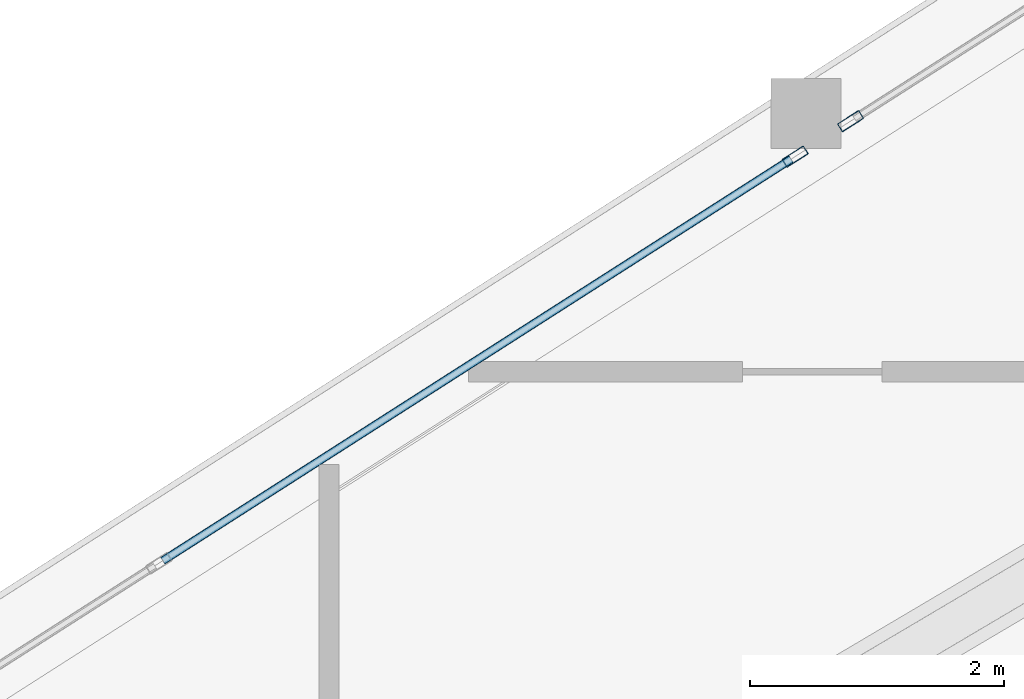
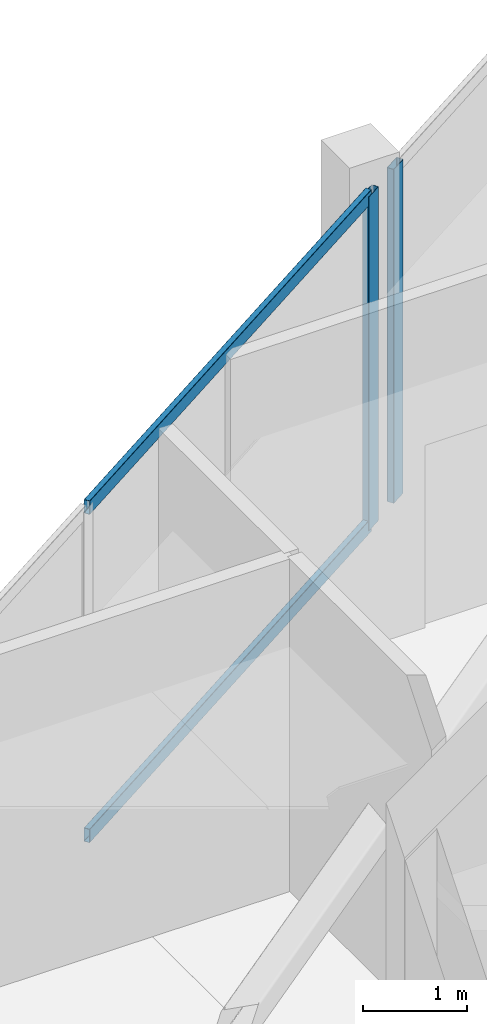
# One storey, part 14 of 30: 4 members, 2 elements without a shape of their own.
"""IFC4 building model written with IfcOpenShell, lengths in metres."""

from ifc_helpers import new_model, si_unit, direction, frame, origin, origin_2d, place, context, subcontext, project, spatial, hollow_rectangle, extrude, material, layer, layer_set, material_profile, profile_set, type_object, element, aggregate, save


model = new_model("IFC4")

# Units and contexts
model_context = context("Model", 3, precision=1e-05, world=origin(), true_north=direction((0.0, 1.0)))
body_context = subcontext(model_context, "Body", "Model", "MODEL_VIEW")
ifc_project = project(units=[si_unit("LENGTHUNIT", "METRE"), si_unit("AREAUNIT", "SQUARE_METRE"), si_unit("VOLUMEUNIT", "CUBIC_METRE"), si_unit("PLANEANGLEUNIT", "RADIAN"), si_unit("MASSUNIT", "GRAM", prefix="KILO")], contexts=[model_context])

# Site, building, storey
site_placement = place(None, origin())
site = spatial("IfcSite", under=ifc_project, at=site_placement, CompositionType="ELEMENT")
building_placement = place(site_placement, origin())
building = spatial("IfcBuilding", under=site, at=building_placement, Name="Qorvath Tower", CompositionType="ELEMENT")
storey_placement = place(building_placement, frame((0.0, 0.0, 301.800048828125)))
storey = spatial("IfcBuildingStorey", under=building, at=storey_placement, Name="L70", CompositionType="ELEMENT", Elevation=301.800048828125)

# Curtain wall, member
ifc_material_1 = material(Name="Anodised aluminium and triple low-E glass", Category="aluminium")
ifc_layer = layer(ifc_material_1, 0.179931640625)
ifc_layer_set = layer_set([ifc_layer], Name="CW-SYS-4")
curtain_wall_type = type_object("IfcCurtainWallType", Name="CW-SYS-4", PredefinedType="NOTDEFINED", material=ifc_layer_set)
curtain_wall_1_placement = place(storey_placement, origin())
curtain_wall_1 = element("IfcCurtainWall", 1, at=curtain_wall_1_placement, inside=storey, type_object=curtain_wall_type, Name="Curtain Wall CW-4 CW-T-L70-16.2", PredefinedType="NOTDEFINED")
ifc_material_2 = material(Name="Anodised aluminium 6063-T6", Category="aluminium")
ifc_material_profile_1 = material_profile(ifc_material_2, hollow_rectangle(XDim=0.074951171875, YDim=0.199951171875, WallThickness=0.00390625, InnerFilletRadius=0.00390625, OuterFilletRadius=0.008056640625, at=origin_2d()), Name="CWM 200x75")
ifc_profile_set_1 = profile_set([ifc_material_profile_1], Name="Anodised aluminium 6063-T6")
member_type_1 = type_object("IfcMemberType", Name="CWM-200", PredefinedType="MULLION", material=ifc_profile_set_1)
member_1_placement = place(storey_placement, frame((-33.752685546875, 12.731201171875, 0.0), z_axis=(0.0, 0.0, 1.0), x_axis=(0.538534157957, -0.842603679504, 0.0)))
member_1 = element("IfcMember", 2, at=member_1_placement, type_object=member_type_1, Name="CW-4 mullion 4", PredefinedType="MULLION", context=body_context, shape_type="SweptSolid", body=[
    extrude(hollow_rectangle(XDim=0.074951171875, YDim=0.199951171875, WallThickness=0.00390625, InnerFilletRadius=0.00390625, OuterFilletRadius=0.008056640625, at=origin_2d()), origin(), (0.0, 0.0, 1.0), 3.909912109375),
])
aggregate(curtain_wall_1, [member_1])

# Curtain wall, members
curtain_wall_2_placement = place(storey_placement, origin())
curtain_wall_2 = element("IfcCurtainWall", 3, at=curtain_wall_2_placement, inside=storey, type_object=curtain_wall_type, Name="Curtain Wall CW-4 CW-T-L70-16.3", PredefinedType="NOTDEFINED")
member_2_placement = place(storey_placement, frame((-34.188720703125, 12.4521484375, 0.0), z_axis=(0.0, 0.0, 1.0), x_axis=(0.538527126724, -0.842608173342, 0.0)))
member_2 = element("IfcMember", 4, at=member_2_placement, type_object=member_type_1, Name="CW-4 mullion 1", PredefinedType="MULLION", context=body_context, shape_type="SweptSolid", body=[
    extrude(hollow_rectangle(XDim=0.074951171875, YDim=0.199951171875, WallThickness=0.00390625, InnerFilletRadius=0.00390625, OuterFilletRadius=0.008056640625, at=origin_2d()), origin(), (0.0, 0.0, 1.0), 3.909912109375),
])
ifc_material_3 = material(Name="Anodised aluminium 6063-T6", Category="aluminium")
ifc_material_profile_2 = material_profile(ifc_material_3, hollow_rectangle(XDim=0.06494140625, YDim=0.159912109375, WallThickness=0.00341796875, InnerFilletRadius=0.00341796875, OuterFilletRadius=0.007080078125, at=origin_2d()), Name="CWT 160x65")
ifc_profile_set_2 = profile_set([ifc_material_profile_2], Name="Anodised aluminium 6063-T6")
member_type_2 = type_object("IfcMemberType", Name="CWT-160", PredefinedType="USERDEFINED", material=ifc_profile_set_2)
member_3_placement = place(storey_placement, frame((-34.220458984375, 12.43212890625, 0.032470703125), z_axis=(-0.842584044534, -0.538564878075, 0.0), x_axis=(0.538564878075, -0.842584044534, 0.0)))
member_3 = element("IfcMember", 5, at=member_3_placement, type_object=member_type_2, Name="CW-4 transom 1.1", ObjectType="TRANSOM", PredefinedType="USERDEFINED", context=body_context, shape_type="SweptSolid", body=[
    extrude(hollow_rectangle(XDim=0.06494140625, YDim=0.159912109375, WallThickness=0.00341796875, InnerFilletRadius=0.00341796875, OuterFilletRadius=0.007080078125, at=origin_2d()), origin(), (0.0, 0.0, 1.0), 5.86865234375),
])
member_4_placement = place(storey_placement, frame((-34.220458984375, 12.43212890625, 3.87744140625), z_axis=(-0.842584044534, -0.538564878075, 0.0), x_axis=(0.538564878075, -0.842584044534, 0.0)))
member_4 = element("IfcMember", 6, at=member_4_placement, type_object=member_type_2, Name="CW-4 transom 1.2", ObjectType="TRANSOM", PredefinedType="USERDEFINED", context=body_context, shape_type="SweptSolid", body=[
    extrude(hollow_rectangle(XDim=0.06494140625, YDim=0.159912109375, WallThickness=0.00341796875, InnerFilletRadius=0.00341796875, OuterFilletRadius=0.007080078125, at=origin_2d()), origin(), (0.0, 0.0, 1.0), 5.86865234375),
])
aggregate(curtain_wall_2, [member_2, member_3, member_4])

save(model, "model.ifc")
